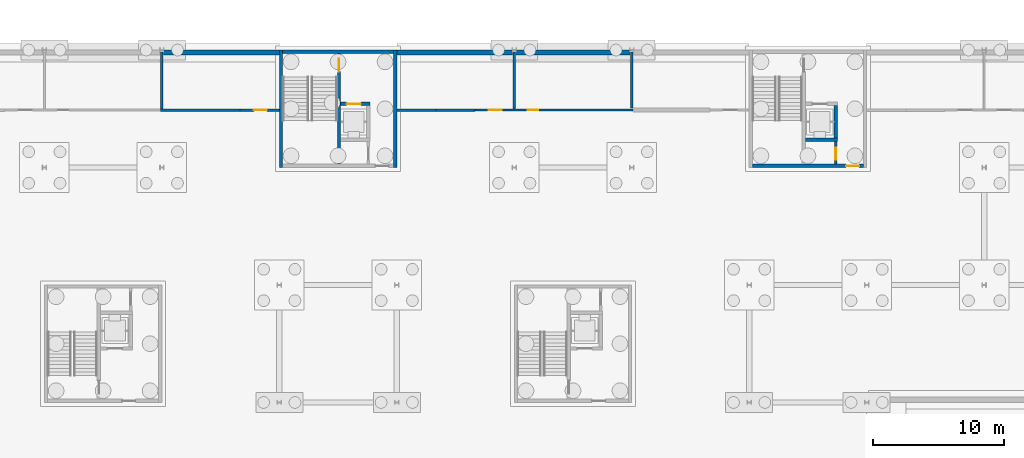
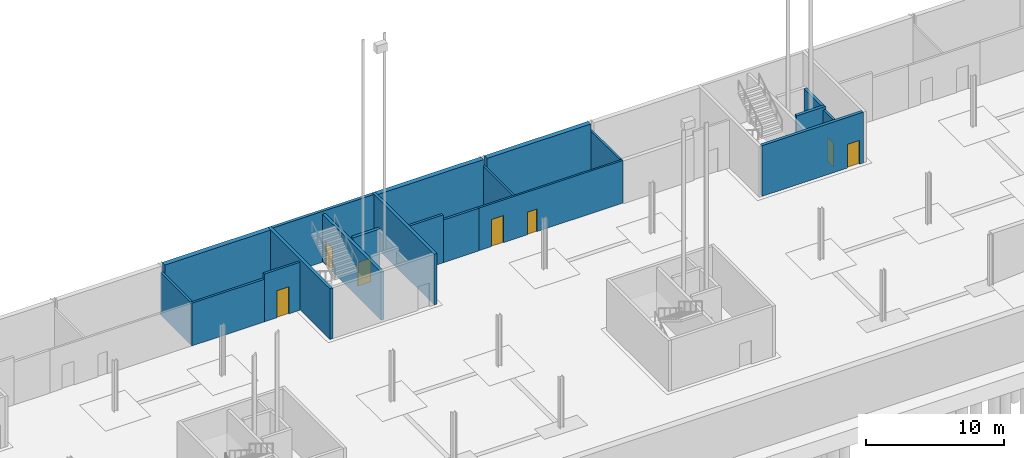
# One storey, part 17 of 41: 20 walls, 7 doors, 7 openings.
"""IFC4 building model written with IfcOpenShell, lengths in metres."""

from ifc_helpers import new_model, si_unit, direction, frame, frame_2d, origin, place, context, subcontext, project, spatial, rectangle, extrude, material, layer, layer_set, type_object, element, fill, save


model = new_model("IFC4")

# Units and contexts
model_context = context("Model", 3, precision=1e-05, world=origin(), true_north=direction((0.0, 1.0)))
body_context = subcontext(model_context, "Body", "Model", "MODEL_VIEW")
ifc_project = project(units=[si_unit("LENGTHUNIT", "METRE"), si_unit("AREAUNIT", "SQUARE_METRE"), si_unit("VOLUMEUNIT", "CUBIC_METRE"), si_unit("PLANEANGLEUNIT", "RADIAN"), si_unit("MASSUNIT", "GRAM", prefix="KILO")], contexts=[model_context])

# Site, building, storey
site_placement = place(None, origin())
site = spatial("IfcSite", under=ifc_project, at=site_placement, CompositionType="ELEMENT")
building_placement = place(site_placement, origin())
building = spatial("IfcBuilding", under=site, at=building_placement, Name="Corbel Yard City Hall", CompositionType="ELEMENT")
storey_placement = place(building_placement, frame((0.0, 0.0, -4.5)))
storey = spatial("IfcBuildingStorey", under=building, at=storey_placement, Name="B1", CompositionType="ELEMENT", Elevation=-4.5)

# Walls
ifc_material_1 = material(Name="Concrete N50 (50 MPa)", Category="concrete")
ifc_layer_1 = layer(ifc_material_1, 0.25)
ifc_layer_set_1 = layer_set([ifc_layer_1], Name="Concrete N50 (50 MPa)")
wall_type_1 = type_object("IfcWallType", Name="Core cell wall 250", PredefinedType="SHEAR", material=ifc_layer_set_1)
for number, where, z_axis, x_axis, name in (
    (1, (99.125, 108.0, 0.0), (0.0, 0.0, 1.0), (0.0, 1.0, 0.0), "Core PC-N2 west wall"),
    (2, (107.875, 108.0, 0.0), (0.0, 0.0, 1.0), (0.0, 1.0, 0.0), "Core PC-N2 east wall"),
):
    element("IfcWall", number, at=place(storey_placement, frame(where, z_axis=z_axis, x_axis=x_axis)), inside=storey, type_object=wall_type_1, Name=name, PredefinedType="SHEAR", context=body_context, shape_type="SweptSolid", body=[
        extrude(rectangle(XDim=9.0, YDim=0.25, at=frame_2d((4.5, 0.0))), origin(), (0.0, 0.0, 1.0), 4.5),
    ])
wall_1_placement = place(storey_placement, frame((99.25, 116.875, 0.0), z_axis=(0.0, 0.0, 1.0), x_axis=(1.0, 0.0, 0.0)))
element("IfcWall", 3, at=wall_1_placement, inside=storey, type_object=wall_type_1, Name="Core PC-N2 north wall", PredefinedType="SHEAR", context=body_context, shape_type="SweptSolid", body=[
    extrude(rectangle(XDim=8.5, YDim=0.25, at=frame_2d((4.25, 0.0))), origin(), (0.0, 0.0, 1.0), 4.5),
])

# Wall, opening, door
wall_2_placement = place(storey_placement, frame((135.25, 108.125, 0.0), z_axis=(0.0, 0.0, 1.0), x_axis=(1.0, 0.0, 0.0)))
wall_2 = element("IfcWall", 4, at=wall_2_placement, inside=storey, type_object=wall_type_1, Name="Core PC-N3 south wall", PredefinedType="SHEAR", context=body_context, shape_type="SweptSolid", body=[
    extrude(rectangle(XDim=8.5, YDim=0.25, at=frame_2d((4.25, 0.0))), origin(), (0.0, 0.0, 1.0), 4.5),
])
opening_1_placement = place(wall_2_placement, frame((7.175048828125, 0.0, 0.0)))
opening_1 = element("IfcOpeningElement", 5, at=opening_1_placement, cuts=wall_2, Name="Opening B1-021", PredefinedType="OPENING", context=body_context, shape_type="SweptSolid", body=[
    extrude(rectangle(XDim=1.0, YDim=2.10009765625, at=frame_2d((0.5, 1.050048828125))), frame((0.0, 0.135009765625, 0.0), z_axis=(0.0, -1.0, 0.0), x_axis=(1.0, 0.0, 0.0)), (0.0, 0.0, 1.0), 0.27001953125),
])
ifc_material_2 = material(Name="Steel Grade G250", Category="steel")
door_type_1 = type_object("IfcDoorType", Name="FS1", OperationType="SINGLE_SWING_LEFT", PredefinedType="DOOR", material=ifc_material_2)
door_1_placement = place(opening_1_placement, origin())
door_1 = element("IfcDoor", 6, at=door_1_placement, inside=storey, type_object=door_type_1, Name="Door Lift Lobby", OperationType="SINGLE_SWING_RIGHT", OverallHeight=2.10009765625, OverallWidth=1.0, PredefinedType="DOOR", context=body_context, shape_type="SweptSolid", body=[
    extrude(rectangle(XDim=1.0, YDim=2.10009765625, at=frame_2d((0.5, 1.050048828125))), frame((0.0, 0.02490234375, 0.0), z_axis=(0.0, -1.0, 0.0), x_axis=(1.0, 0.0, 0.0)), (0.0, 0.0, 1.0), 0.050048828125),
])
fill(opening_1, door_1)

ifc_material_3 = material(Name="Concrete N40 (40 MPa)", Category="concrete")
ifc_layer_2 = layer(ifc_material_3, 0.25)
ifc_layer_set_2 = layer_set([ifc_layer_2], Name="Concrete N40 (40 MPa)")
wall_type_2 = type_object("IfcWallType", Name="IW2", PredefinedType="SOLIDWALL", material=ifc_layer_set_2)
wall_3_placement = place(storey_placement, frame((103.574951171875, 116.75, 0.0), z_axis=(0.0, 0.0, 1.0), x_axis=(0.0, -1.0, 0.0)))
wall_3 = element("IfcWall", 7, at=wall_3_placement, inside=storey, type_object=wall_type_2, Name="Stair enclosure wall", PredefinedType="SOLIDWALL", context=body_context, shape_type="SweptSolid", body=[
    extrude(rectangle(XDim=8.5, YDim=0.25, at=frame_2d((4.25, 0.0))), origin(), (0.0, 0.0, 1.0), 4.25),
])
opening_2_placement = place(wall_3_placement, frame((0.39990234375, 0.0, 0.0)))
opening_2 = element("IfcOpeningElement", 8, at=opening_2_placement, cuts=wall_3, Name="Opening B1-009", PredefinedType="OPENING", context=body_context, shape_type="SweptSolid", body=[
    extrude(rectangle(XDim=1.0, YDim=2.10009765625, at=frame_2d((0.5, 1.050048828125))), frame((0.0, 0.135009765625, 0.0), z_axis=(0.0, -1.0, 0.0), x_axis=(1.0, 0.0, 0.0)), (0.0, 0.0, 1.0), 0.27001953125),
])
door_2_placement = place(opening_2_placement, frame((1.0, 0.0, 0.0), z_axis=(0.0, 0.0, 1.0), x_axis=(-1.0, 0.0, 0.0)))
door_2 = element("IfcDoor", 9, at=door_2_placement, inside=storey, type_object=door_type_1, Name="Door Exit Stair 17", OperationType="SINGLE_SWING_RIGHT", OverallHeight=2.10009765625, OverallWidth=1.0, PredefinedType="DOOR", context=body_context, shape_type="SweptSolid", body=[
    extrude(rectangle(XDim=1.0, YDim=2.10009765625, at=frame_2d((0.5, 1.050048828125))), frame((0.0, 0.02490234375, 0.0), z_axis=(0.0, -1.0, 0.0), x_axis=(1.0, 0.0, 0.0)), (0.0, 0.0, 1.0), 0.050048828125),
])
fill(opening_2, door_2)

wall_4_placement = place(storey_placement, frame((103.699951171875, 112.875, 0.0), z_axis=(0.0, 0.0, 1.0), x_axis=(1.0, 0.0, 0.0)))
wall_4 = element("IfcWall", 10, at=wall_4_placement, inside=storey, type_object=wall_type_2, Name="Lift LP17 shaft wall", PredefinedType="SOLIDWALL", context=body_context, shape_type="SweptSolid", body=[
    extrude(rectangle(XDim=2.25, YDim=0.25, at=frame_2d((1.125, 0.0))), origin(), (0.0, 0.0, 1.0), 4.5),
])
opening_3_placement = place(wall_4_placement, frame((0.449951171875, 0.0, 0.0)))
opening_3 = element("IfcOpeningElement", 11, at=opening_3_placement, cuts=wall_4, Name="Opening B1-002", PredefinedType="OPENING", context=body_context, shape_type="SweptSolid", body=[
    extrude(rectangle(XDim=1.10009765625, YDim=2.10009765625, at=frame_2d((0.550048828125, 1.050048828125))), frame((0.0, 0.135009765625, 0.0), z_axis=(0.0, -1.0, 0.0), x_axis=(1.0, 0.0, 0.0)), (0.0, 0.0, 1.0), 0.27001953125),
])
ifc_material_4 = material(Name="Stainless steel Grade 316", Category="steel")
door_type_2 = type_object("IfcDoorType", Name="LD1", OperationType="DOUBLE_DOOR_SLIDING", PredefinedType="DOOR", material=ifc_material_4)
door_3_placement = place(opening_3_placement, origin())
door_3 = element("IfcDoor", 12, at=door_3_placement, inside=storey, type_object=door_type_2, Name="Lift LP17 landing door", OperationType="DOUBLE_DOOR_SLIDING", OverallHeight=2.10009765625, OverallWidth=1.10009765625, PredefinedType="DOOR", context=body_context, shape_type="SweptSolid", body=[
    extrude(rectangle(XDim=1.10009765625, YDim=2.10009765625, at=frame_2d((0.550048828125, 1.050048828125))), frame((0.0, 0.02490234375, 0.0), z_axis=(0.0, -1.0, 0.0), x_axis=(1.0, 0.0, 0.0)), (0.0, 0.0, 1.0), 0.050048828125),
])
fill(opening_3, door_3)

# Walls
wall_5_placement = place(storey_placement, frame((139.300048828125, 110.125, 0.0), z_axis=(0.0, 0.0, 1.0), x_axis=(1.0, 0.0, 0.0)))
element("IfcWall", 13, at=wall_5_placement, inside=storey, type_object=wall_type_2, Name="Lift LP18 shaft wall", PredefinedType="SOLIDWALL", context=body_context, shape_type="SweptSolid", body=[
    extrude(rectangle(XDim=2.449951171875, YDim=0.25, at=frame_2d((1.22509765625, 0.0))), origin(), (0.0, 0.0, 1.0), 4.5),
])
wall_6_placement = place(storey_placement, frame((141.625, 110.25, 0.0), z_axis=(0.0, 0.0, 1.0), x_axis=(0.0, 1.0, 0.0)))
element("IfcWall", 14, at=wall_6_placement, inside=storey, type_object=wall_type_2, Name="Lift LP18 shaft wall", PredefinedType="SOLIDWALL", context=body_context, shape_type="SweptSolid", body=[
    extrude(rectangle(XDim=2.5, YDim=0.25, at=frame_2d((1.25, 0.0))), origin(), (0.0, 0.0, 1.0), 4.5),
])
ifc_material_5 = material(Name="Gypsum plasterboard", Category="gypsum")
ifc_layer_3 = layer(ifc_material_5, 0.031982421875)
ifc_material_6 = material(Name="Steel Grade G550 (550 MPa yield)", Category="steel")
ifc_layer_4 = layer(ifc_material_6, 0.135986328125)
ifc_layer_5 = layer(ifc_material_5, 0.031982421875)
ifc_layer_set_3 = layer_set([ifc_layer_3, ifc_layer_4, ifc_layer_5], Name="Steel Grade G550 (550 MPa yield)")
wall_type_3 = type_object("IfcWallType", Name="PT2", PredefinedType="PARTITIONING", material=ifc_layer_set_3)
wall_7_placement = place(storey_placement, frame((108.0, 112.39990234375, 0.0), z_axis=(0.0, 0.0, 1.0), x_axis=(1.0, 0.0, 0.0)))
element("IfcWall", 15, at=wall_7_placement, inside=storey, type_object=wall_type_3, Name="Acoustic wall", PredefinedType="PARTITIONING", context=body_context, shape_type="SweptSolid", body=[
    extrude(rectangle(XDim=3.0, YDim=0.199951171875, at=frame_2d((1.5, 0.0))), origin(), (0.0, 0.0, 1.0), 4.25),
])
wall_8_placement = place(storey_placement, frame((111.0, 112.39990234375, 0.0), z_axis=(0.0, 0.0, 1.0), x_axis=(1.0, 0.0, 0.0)))
element("IfcWall", 16, at=wall_8_placement, inside=storey, type_object=wall_type_3, Name="Acoustic wall", PredefinedType="PARTITIONING", context=body_context, shape_type="SweptSolid", body=[
    extrude(rectangle(XDim=3.0, YDim=0.199951171875, at=frame_2d((1.5, 0.0))), origin(), (0.0, 0.0, 1.0), 3.7900390625),
])

# Wall, openings, doors
ifc_layer_6 = layer(ifc_material_5, 0.031982421875)
ifc_layer_7 = layer(ifc_material_6, 0.095947265625)
ifc_layer_8 = layer(ifc_material_5, 0.031982421875)
ifc_layer_set_4 = layer_set([ifc_layer_6, ifc_layer_7, ifc_layer_8], Name="Steel Grade G550 (550 MPa yield)")
wall_type_4 = type_object("IfcWallType", Name="PT3", PredefinedType="PARTITIONING", material=ifc_layer_set_4)
wall_9_placement = place(storey_placement, frame((114.0, 112.39990234375, 0.0), z_axis=(0.0, 0.0, 1.0), x_axis=(1.0, 0.0, 0.0)))
wall_9 = element("IfcWall", 17, at=wall_9_placement, inside=storey, type_object=wall_type_4, Name="Fire-resisting wall", PredefinedType="PARTITIONING", context=body_context, shape_type="SweptSolid", body=[
    extrude(rectangle(XDim=12.080078125, YDim=0.159912109375, at=frame_2d((6.0400390625, 0.0))), origin(), (0.0, 0.0, 1.0), 3.7900390625),
])
opening_4_placement = place(wall_9_placement, frame((1.050048828125, 0.0, 0.0)))
opening_4 = element("IfcOpeningElement", 18, at=opening_4_placement, cuts=wall_9, Name="Opening B1-043", PredefinedType="OPENING", context=body_context, shape_type="SweptSolid", body=[
    extrude(rectangle(XDim=1.0, YDim=2.39990234375, at=frame_2d((0.5, 1.199951171875))), frame((0.0, 0.08984375, 0.0), z_axis=(0.0, -1.0, 0.0), x_axis=(1.0, 0.0, 0.0)), (0.0, 0.0, 1.0), 0.179931640625),
])
opening_5_placement = place(wall_9_placement, frame((4.050048828125, 0.0, 0.0)))
opening_5 = element("IfcOpeningElement", 19, at=opening_5_placement, cuts=wall_9, Name="Opening B1-044", PredefinedType="OPENING", context=body_context, shape_type="SweptSolid", body=[
    extrude(rectangle(XDim=0.800048828125, YDim=2.0, at=frame_2d((0.39990234375, 1.0))), frame((0.0, 0.08984375, 0.0), z_axis=(0.0, -1.0, 0.0), x_axis=(1.0, 0.0, 0.0)), (0.0, 0.0, 1.0), 0.179931640625),
])
door_type_3 = type_object("IfcDoorType", Name="FD31", OperationType="SINGLE_SWING_LEFT", PredefinedType="DOOR", material=ifc_material_2)
door_4_placement = place(opening_5_placement, origin())
door_4 = element("IfcDoor", 20, at=door_4_placement, inside=storey, type_object=door_type_3, Name="Door Records Store", OperationType="SINGLE_SWING_LEFT", OverallHeight=2.0, OverallWidth=0.800048828125, PredefinedType="DOOR", context=body_context, shape_type="SweptSolid", body=[
    extrude(rectangle(XDim=0.800048828125, YDim=2.0, at=frame_2d((0.39990234375, 1.0))), frame((0.0, 0.02490234375, 0.0), z_axis=(0.0, -1.0, 0.0), x_axis=(1.0, 0.0, 0.0)), (0.0, 0.0, 1.0), 0.050048828125),
])
fill(opening_5, door_4)
door_type_4 = type_object("IfcDoorType", Name="FD33", OperationType="SINGLE_SWING_RIGHT", PredefinedType="DOOR", material=ifc_material_2)
door_5_placement = place(opening_4_placement, origin())
door_5 = element("IfcDoor", 21, at=door_5_placement, inside=storey, type_object=door_type_4, Name="Door Communications Room", OperationType="SINGLE_SWING_RIGHT", OverallHeight=2.39990234375, OverallWidth=1.0, PredefinedType="DOOR", context=body_context, shape_type="SweptSolid", body=[
    extrude(rectangle(XDim=1.0, YDim=2.39990234375, at=frame_2d((0.5, 1.199951171875))), frame((0.0, 0.02490234375, 0.0), z_axis=(0.0, -1.0, 0.0), x_axis=(1.0, 0.0, 0.0)), (0.0, 0.0, 1.0), 0.050048828125),
])
fill(opening_4, door_5)

# Walls
wall_10_placement = place(storey_placement, frame((117.0, 112.47998046875, 0.0), z_axis=(0.0, 0.0, 1.0), x_axis=(0.0, 1.0, 0.0)))
element("IfcWall", 22, at=wall_10_placement, inside=storey, type_object=wall_type_4, Name="Fire-resisting wall", PredefinedType="PARTITIONING", context=body_context, shape_type="SweptSolid", body=[
    extrude(rectangle(XDim=4.3564453125, YDim=0.159912109375, at=frame_2d((2.17822265625, 0.0))), origin(), (0.0, 0.0, 1.0), 3.7900390625),
])
wall_11_placement = place(storey_placement, frame((126.0, 112.5625, 0.0), z_axis=(0.0, 0.0, 1.0), x_axis=(0.0, 1.0, 0.0)))
element("IfcWall", 23, at=wall_11_placement, inside=storey, type_object=wall_type_4, Name="Fire-resisting wall", PredefinedType="PARTITIONING", context=body_context, shape_type="SweptSolid", body=[
    extrude(rectangle(XDim=4.27392578125, YDim=0.159912109375, at=frame_2d((2.136962890625, 0.0))), origin(), (0.0, 0.0, 1.0), 3.7900390625),
])
ifc_material_7 = material(Name="Concrete block", Category="concrete")
ifc_layer_9 = layer(ifc_material_7, 0.18994140625)
ifc_layer_set_5 = layer_set([ifc_layer_9], Name="Concrete block")
wall_type_5 = type_object("IfcWallType", Name="PT4", PredefinedType="PARTITIONING", material=ifc_layer_set_5)
wall_12_placement = place(storey_placement, frame((89.905029296875, 112.39990234375, 0.0), z_axis=(0.0, 0.0, 1.0), x_axis=(1.0, 0.0, 0.0)))
element("IfcWall", 24, at=wall_12_placement, inside=storey, type_object=wall_type_5, Name="Fire-resisting block wall", PredefinedType="PARTITIONING", context=body_context, shape_type="SweptSolid", body=[
    extrude(rectangle(XDim=6.094970703125, YDim=0.18994140625, at=frame_2d((3.04736328125, 0.0))), origin(), (0.0, 0.0, 1.0), 3.7900390625),
])

# Wall, opening, door
wall_13_placement = place(storey_placement, frame((96.0, 112.39990234375, 0.0), z_axis=(0.0, 0.0, 1.0), x_axis=(1.0, 0.0, 0.0)))
wall_13 = element("IfcWall", 25, at=wall_13_placement, inside=storey, type_object=wall_type_5, Name="Fire-resisting block wall", PredefinedType="PARTITIONING", context=body_context, shape_type="SweptSolid", body=[
    extrude(rectangle(XDim=3.0, YDim=0.18994140625, at=frame_2d((1.5, 0.0))), origin(), (0.0, 0.0, 1.0), 4.25),
])
opening_6_placement = place(wall_13_placement, frame((1.050048828125, 0.0, 0.0)))
opening_6 = element("IfcOpeningElement", 26, at=opening_6_placement, cuts=wall_13, Name="Opening B1-042", PredefinedType="OPENING", context=body_context, shape_type="SweptSolid", body=[
    extrude(rectangle(XDim=1.0, YDim=2.39990234375, at=frame_2d((0.5, 1.199951171875))), frame((0.0, 0.10498046875, 0.0), z_axis=(0.0, -1.0, 0.0), x_axis=(1.0, 0.0, 0.0)), (0.0, 0.0, 1.0), 0.2099609375),
])
door_type_5 = type_object("IfcDoorType", Name="FS33", OperationType="SINGLE_SWING_RIGHT", PredefinedType="DOOR", material=ifc_material_2)
door_6_placement = place(opening_6_placement, origin())
door_6 = element("IfcDoor", 27, at=door_6_placement, inside=storey, type_object=door_type_5, Name="Door Services Riser Room", OperationType="SINGLE_SWING_RIGHT", OverallHeight=2.39990234375, OverallWidth=1.0, PredefinedType="DOOR", context=body_context, shape_type="SweptSolid", body=[
    extrude(rectangle(XDim=1.0, YDim=2.39990234375, at=frame_2d((0.5, 1.199951171875))), frame((0.0, 0.02490234375, 0.0), z_axis=(0.0, -1.0, 0.0), x_axis=(1.0, 0.0, 0.0)), (0.0, 0.0, 1.0), 0.050048828125),
])
fill(opening_6, door_6)

# Wall
wall_14_placement = place(storey_placement, frame((90.0, 112.4951171875, 0.0), z_axis=(0.0, 0.0, 1.0), x_axis=(0.0, 1.0, 0.0)))
element("IfcWall", 28, at=wall_14_placement, inside=storey, type_object=wall_type_5, Name="Fire-resisting block wall", PredefinedType="PARTITIONING", context=body_context, shape_type="SweptSolid", body=[
    extrude(rectangle(XDim=4.34130859375, YDim=0.18994140625, at=frame_2d((2.170654296875, 0.0))), origin(), (0.0, 0.0, 1.0), 3.7900390625),
])

# Wall, opening, door
wall_15_placement = place(storey_placement, frame((141.625, 108.25, 0.0), z_axis=(0.0, 0.0, 1.0), x_axis=(0.0, 1.0, 0.0)))
wall_15 = element("IfcWall", 29, at=wall_15_placement, inside=storey, type_object=wall_type_5, Name="Fire-resisting block wall", PredefinedType="PARTITIONING", context=body_context, shape_type="SweptSolid", body=[
    extrude(rectangle(XDim=1.75, YDim=0.18994140625, at=frame_2d((0.875, 0.0))), origin(), (0.0, 0.0, 1.0), 4.25),
])
opening_7_placement = place(wall_15_placement, frame((0.3525390625, 0.0, 0.0)))
opening_7 = element("IfcOpeningElement", 30, at=opening_7_placement, cuts=wall_15, Name="Opening B1-012", PredefinedType="OPENING", context=body_context, shape_type="SweptSolid", body=[
    extrude(rectangle(XDim=0.919921875, YDim=2.10009765625, at=frame_2d((0.4599609375, 1.050048828125))), frame((0.0, 0.10498046875, 0.0), z_axis=(0.0, -1.0, 0.0), x_axis=(1.0, 0.0, 0.0)), (0.0, 0.0, 1.0), 0.2099609375),
])
door_type_6 = type_object("IfcDoorType", Name="FS5", OperationType="SINGLE_SWING_RIGHT", PredefinedType="DOOR", material=ifc_material_2)
door_7_placement = place(opening_7_placement, origin())
door_7 = element("IfcDoor", 31, at=door_7_placement, inside=storey, type_object=door_type_6, Name="Door Service Riser", OperationType="SINGLE_SWING_LEFT", OverallHeight=2.10009765625, OverallWidth=0.919921875, PredefinedType="DOOR", context=body_context, shape_type="SweptSolid", body=[
    extrude(rectangle(XDim=0.919921875, YDim=2.10009765625, at=frame_2d((0.4599609375, 1.050048828125))), frame((0.0, 0.02490234375, 0.0), z_axis=(0.0, -1.0, 0.0), x_axis=(1.0, 0.0, 0.0)), (0.0, 0.0, 1.0), 0.050048828125),
])
fill(opening_7, door_7)

# Walls
ifc_layer_10 = layer(ifc_material_3, 0.39990234375)
ifc_layer_set_6 = layer_set([ifc_layer_10], Name="Concrete N40 (40 MPa)")
wall_type_6 = type_object("IfcWallType", Name="Retaining wall 400", PredefinedType="SOLIDWALL", material=ifc_layer_set_6)
for number, where, z_axis, x_axis, name in (
    (32, (90.138427734375, 116.800048828125, 0.0), (0.0, 0.0, 1.0), (1.0, 0.0, 0.0), "Retaining wall RET-N3-3"),
    (33, (108.0, 116.800048828125, 0.0), (0.0, 0.0, 1.0), (1.0, 0.0, 0.0), "Retaining wall RET-N4-1"),
):
    element("IfcWall", number, at=place(storey_placement, frame(where, z_axis=z_axis, x_axis=x_axis)), inside=storey, type_object=wall_type_6, Name=name, PredefinedType="SOLIDWALL", context=body_context, shape_type="SweptSolid", body=[
        extrude(rectangle(XDim=8.861572265625, YDim=0.39990234375, at=frame_2d((4.4306640625, 0.0))), origin(), (0.0, 0.0, 1.0), 4.5),
    ])
wall_16_placement = place(storey_placement, frame((117.138427734375, 116.800048828125, 0.0), z_axis=(0.0, 0.0, 1.0), x_axis=(1.0, 0.0, 0.0)))
element("IfcWall", 34, at=wall_16_placement, inside=storey, type_object=wall_type_6, Name="Retaining wall RET-N4-2", PredefinedType="SOLIDWALL", context=body_context, shape_type="SweptSolid", body=[
    extrude(rectangle(XDim=8.72314453125, YDim=0.39990234375, at=frame_2d((4.361572265625, 0.0))), origin(), (0.0, 0.0, 1.0), 4.5),
])

save(model, "model.ifc")
